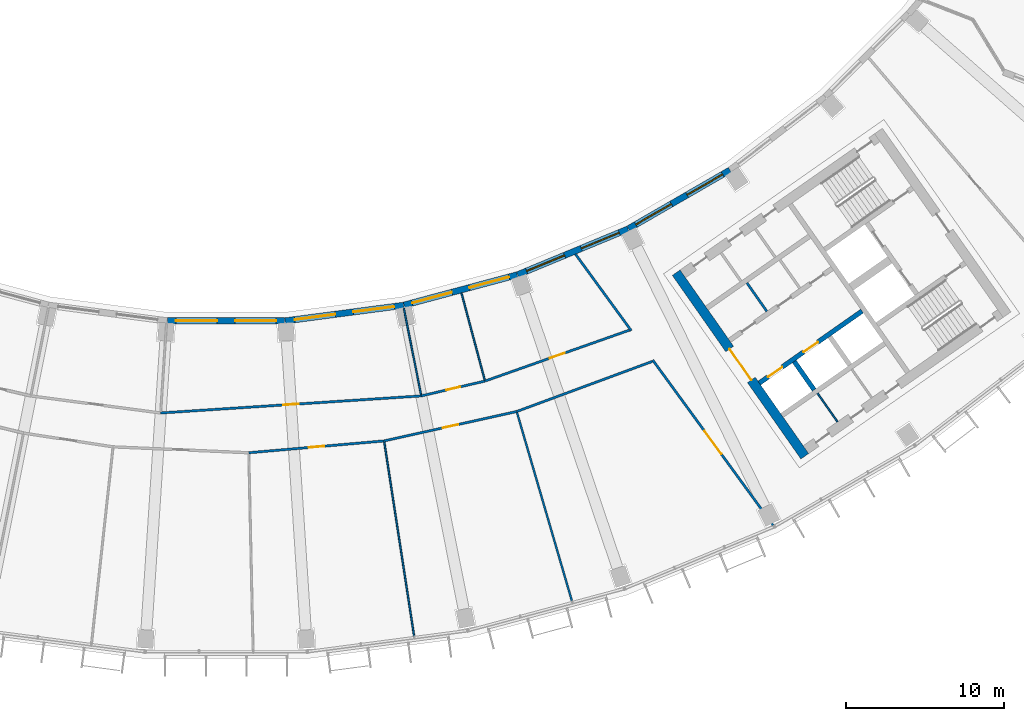
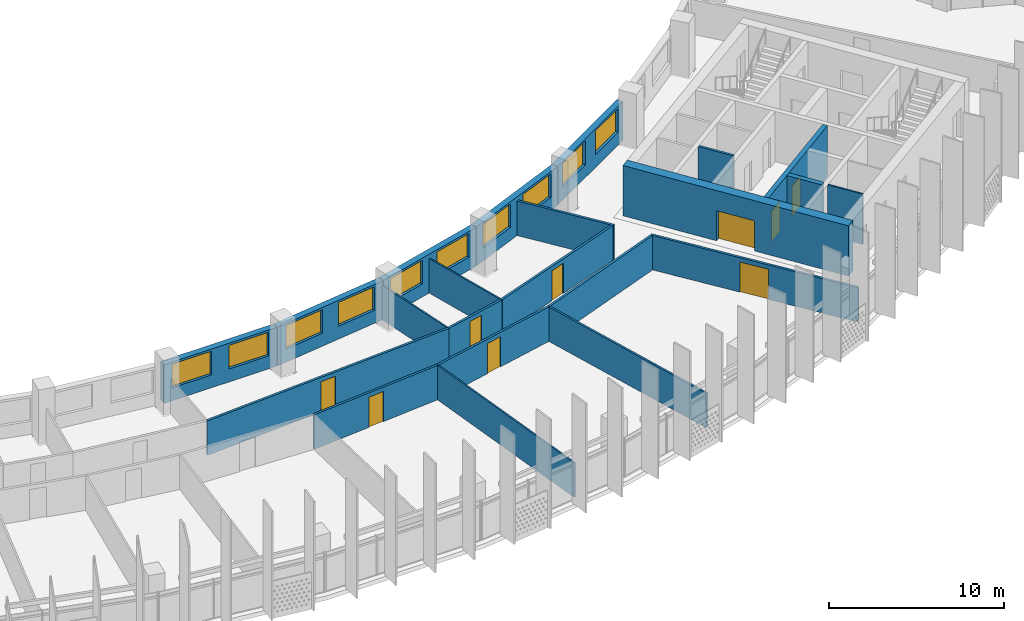
# One storey, part 5 of 30: 22 walls, 10 windows, 9 doors, 19 openings.
"""IFC4 building model written with IfcOpenShell, lengths in metres."""

from ifc_helpers import new_model, si_unit, direction, frame, frame_2d, origin, place, context, subcontext, project, spatial, rectangle, extrude, material, layer, layer_set, type_object, element, fill, save


model = new_model("IFC4")

# Units and contexts
model_context = context("Model", 3, precision=1e-05, world=origin(), true_north=direction((0.0, 1.0)))
body_context = subcontext(model_context, "Body", "Model", "MODEL_VIEW")
ifc_project = project(units=[si_unit("LENGTHUNIT", "METRE"), si_unit("AREAUNIT", "SQUARE_METRE"), si_unit("VOLUMEUNIT", "CUBIC_METRE"), si_unit("PLANEANGLEUNIT", "RADIAN"), si_unit("MASSUNIT", "GRAM", prefix="KILO")], contexts=[model_context])

# Site, building, storey
site_placement = place(None, origin())
site = spatial("IfcSite", under=ifc_project, at=site_placement, CompositionType="ELEMENT")
building_placement = place(site_placement, origin())
building = spatial("IfcBuilding", under=site, at=building_placement, Name="Qamariyya Broadcast Tower", CompositionType="ELEMENT")
storey_placement = place(building_placement, frame((0.0, 0.0, 203.699951171875)))
storey = spatial("IfcBuildingStorey", under=building, at=storey_placement, Name="L48", CompositionType="ELEMENT", Elevation=203.699951171875)

# Wall, opening, door
ifc_material_1 = material(Name="Concrete C60/75", Category="concrete")
ifc_layer_1 = layer(ifc_material_1, 0.60009765625)
ifc_layer_set_1 = layer_set([ifc_layer_1], Name="Core wall 600 mm Concrete C60/75")
wall_type_1 = type_object("IfcWallType", Name="Core wall 600 mm Concrete C60/75", PredefinedType="SHEAR", material=ifc_layer_set_1)
wall_1_placement = place(storey_placement, frame((36.66748046875, -66.005126953125, 0.0), z_axis=(0.0, 0.0, 1.0), x_axis=(-0.573568499524, 0.819157601658, 0.0)))
wall_1 = element("IfcWall", 1, at=wall_1_placement, inside=storey, type_object=wall_type_1, Name="k-E-L48-WA", PredefinedType="SHEAR", context=body_context, shape_type="SweptSolid", body=[
    extrude(rectangle(XDim=14.19970703125, YDim=0.60009765625, at=frame_2d((7.099853515625, 0.0))), origin(), (0.0, 0.0, 1.0), 3.5),
])
opening_1_placement = place(wall_1_placement, frame((5.89990234375, 0.0, 0.0)))
opening_1 = element("IfcOpeningElement", 2, at=opening_1_placement, cuts=wall_1, Name="Opening KD3-E1", PredefinedType="OPENING", context=body_context, shape_type="SweptSolid", body=[
    extrude(rectangle(XDim=2.39990234375, YDim=2.10009765625, at=frame_2d((1.199951171875, 1.050048828125))), frame((0.0, 0.31005859375, 0.0), z_axis=(0.0, -1.0, 0.0), x_axis=(1.0, 0.0, 0.0)), (0.0, 0.0, 1.0), 0.6201171875),
])
ifc_material_2 = material(Name="Steel fire-resisting door leaf", Category="steel")
door_type_1 = type_object("IfcDoorType", Name="Lift lobby door KD3", OperationType="DOUBLE_DOOR_SINGLE_SWING", PredefinedType="DOOR", material=ifc_material_2)
door_1_placement = place(opening_1_placement, origin())
door_1 = element("IfcDoor", 3, at=door_1_placement, inside=storey, type_object=door_type_1, Name="k-E-L48-WA-D1", OperationType="DOUBLE_DOOR_SINGLE_SWING", OverallHeight=2.10009765625, OverallWidth=2.39990234375, PredefinedType="DOOR", context=body_context, shape_type="SweptSolid", body=[
    extrude(rectangle(XDim=2.39990234375, YDim=2.10009765625, at=frame_2d((1.199951171875, 1.050048828125))), frame((0.0, 0.02490234375, 0.0), z_axis=(0.0, -1.0, 0.0), x_axis=(1.0, 0.0, 0.0)), (0.0, 0.0, 1.0), 0.050048828125),
])
fill(opening_1, door_1)

ifc_material_3 = material(Name="Gypsum board partition")
ifc_layer_2 = layer(ifc_material_3, 0.14990234375)
ifc_layer_set_2 = layer_set([ifc_layer_2], Name="Corridor partition 150 EI 60")
wall_type_2 = type_object("IfcWallType", Name="Corridor partition 150 EI 60", PredefinedType="PARTITIONING", material=ifc_layer_set_2)
wall_2_placement = place(storey_placement, frame((-4.146484375, -63.26416015625, 0.0), z_axis=(0.0, 0.0, 1.0), x_axis=(0.99785964818, 0.065392067829, 0.0)))
wall_2 = element("IfcWall", 4, at=wall_2_placement, inside=storey, type_object=wall_type_2, Name="Partition L48-018", PredefinedType="PARTITIONING", context=body_context, shape_type="SweptSolid", body=[
    extrude(rectangle(XDim=16.550537109375, YDim=0.14990234375, at=frame_2d((8.275390625, 0.0))), origin(), (0.0, 0.0, 1.0), 2.400146484375),
])
opening_2_placement = place(wall_2_placement, frame((7.775390625, 0.0, 0.0)))
opening_2 = element("IfcOpeningElement", 5, at=opening_2_placement, cuts=wall_2, Name="Opening L48-D12", PredefinedType="OPENING", context=body_context, shape_type="SweptSolid", body=[
    extrude(rectangle(XDim=1.0, YDim=2.10009765625, at=frame_2d((0.5, 1.050048828125))), frame((0.0, 0.0849609375, 0.0), z_axis=(0.0, -1.0, 0.0), x_axis=(1.0, 0.0, 0.0)), (0.0, 0.0, 1.0), 0.169921875),
])
ifc_material_4 = material(Name="Timber fire door leaf", Category="wood")
door_type_2 = type_object("IfcDoorType", Name="Fire door 1000 x 2100 FD60", OperationType="NOTDEFINED", PredefinedType="DOOR", material=ifc_material_4)
door_2_placement = place(opening_2_placement, origin())
door_2 = element("IfcDoor", 6, at=door_2_placement, inside=storey, type_object=door_type_2, Name="Door L48-D12", OperationType="SINGLE_SWING_RIGHT", OverallHeight=2.10009765625, OverallWidth=1.0, PredefinedType="DOOR", context=body_context, shape_type="SweptSolid", body=[
    extrude(rectangle(XDim=1.0, YDim=2.10009765625, at=frame_2d((0.5, 1.050048828125))), frame((0.0, 0.02490234375, 0.0), z_axis=(0.0, -1.0, 0.0), x_axis=(1.0, 0.0, 0.0)), (0.0, 0.0, 1.0), 0.050048828125),
])
fill(opening_2, door_2)

wall_3_placement = place(storey_placement, frame((10.011474609375, -65.033935546875, 0.0), z_axis=(0.0, 0.0, 1.0), x_axis=(-0.996193717496, -0.087166950281, 0.0)))
wall_3 = element("IfcWall", 7, at=wall_3_placement, inside=storey, type_object=wall_type_2, Name="Partition L48-020", PredefinedType="PARTITIONING", context=body_context, shape_type="SweptSolid", body=[
    extrude(rectangle(XDim=8.60693359375, YDim=0.14990234375, at=frame_2d((4.303466796875, 0.0))), origin(), (0.0, 0.0, 1.0), 2.400146484375),
])
opening_3_placement = place(wall_3_placement, frame((3.803466796875, 0.0, 0.0)))
opening_3 = element("IfcOpeningElement", 8, at=opening_3_placement, cuts=wall_3, Name="Opening L48-D06", PredefinedType="OPENING", context=body_context, shape_type="SweptSolid", body=[
    extrude(rectangle(XDim=1.0, YDim=2.10009765625, at=frame_2d((0.5, 1.050048828125))), frame((0.0, 0.0849609375, 0.0), z_axis=(0.0, -1.0, 0.0), x_axis=(1.0, 0.0, 0.0)), (0.0, 0.0, 1.0), 0.169921875),
])
door_3_placement = place(opening_3_placement, origin())
door_3 = element("IfcDoor", 9, at=door_3_placement, inside=storey, type_object=door_type_2, Name="Door L48-D06", OperationType="SINGLE_SWING_RIGHT", OverallHeight=2.10009765625, OverallWidth=1.0, PredefinedType="DOOR", context=body_context, shape_type="SweptSolid", body=[
    extrude(rectangle(XDim=1.0, YDim=2.10009765625, at=frame_2d((0.5, 1.050048828125))), frame((0.0, 0.02490234375, 0.0), z_axis=(0.0, -1.0, 0.0), x_axis=(1.0, 0.0, 0.0)), (0.0, 0.0, 1.0), 0.050048828125),
])
fill(opening_3, door_3)

wall_4_placement = place(storey_placement, frame((18.41455078125, -63.170654296875, 0.0), z_axis=(0.0, 0.0, 1.0), x_axis=(-0.976287067192, -0.216479935408, 0.0)))
wall_4 = element("IfcWall", 10, at=wall_4_placement, inside=storey, type_object=wall_type_2, Name="Partition L48-022", PredefinedType="PARTITIONING", context=body_context, shape_type="SweptSolid", body=[
    extrude(rectangle(XDim=8.607177734375, YDim=0.14990234375, at=frame_2d((4.3037109375, 0.0))), origin(), (0.0, 0.0, 1.0), 2.400146484375),
])
opening_4_placement = place(wall_4_placement, frame((3.803466796875, 0.0, 0.0)))
opening_4 = element("IfcOpeningElement", 11, at=opening_4_placement, cuts=wall_4, Name="Opening L48-D07", PredefinedType="OPENING", context=body_context, shape_type="SweptSolid", body=[
    extrude(rectangle(XDim=1.0, YDim=2.10009765625, at=frame_2d((0.5, 1.050048828125))), frame((0.0, 0.0849609375, 0.0), z_axis=(0.0, -1.0, 0.0), x_axis=(1.0, 0.0, 0.0)), (0.0, 0.0, 1.0), 0.169921875),
])
door_4_placement = place(opening_4_placement, origin())
door_4 = element("IfcDoor", 12, at=door_4_placement, inside=storey, type_object=door_type_2, Name="Door L48-D07", OperationType="SINGLE_SWING_RIGHT", OverallHeight=2.10009765625, OverallWidth=1.0, PredefinedType="DOOR", context=body_context, shape_type="SweptSolid", body=[
    extrude(rectangle(XDim=1.0, YDim=2.10009765625, at=frame_2d((0.5, 1.050048828125))), frame((0.0, 0.02490234375, 0.0), z_axis=(0.0, -1.0, 0.0), x_axis=(1.0, 0.0, 0.0)), (0.0, 0.0, 1.0), 0.050048828125),
])
fill(opening_4, door_4)

wall_5_placement = place(storey_placement, frame((12.36865234375, -62.181884765625, 0.0), z_axis=(0.0, 0.0, 1.0), x_axis=(0.973875922187, 0.227080796599, 0.0)))
wall_5 = element("IfcWall", 13, at=wall_5_placement, inside=storey, type_object=wall_type_2, Name="Partition L48-025", PredefinedType="PARTITIONING", context=body_context, shape_type="SweptSolid", body=[
    extrude(rectangle(XDim=4.14892578125, YDim=0.14990234375, at=frame_2d((2.074462890625, 0.0))), origin(), (0.0, 0.0, 1.0), 2.400146484375),
])
opening_5_placement = place(wall_5_placement, frame((1.62451171875, 0.0, 0.0)))
opening_5 = element("IfcOpeningElement", 14, at=opening_5_placement, cuts=wall_5, Name="Opening L48-D13", PredefinedType="OPENING", context=body_context, shape_type="SweptSolid", body=[
    extrude(rectangle(XDim=0.89990234375, YDim=2.10009765625, at=frame_2d((0.449951171875, 1.050048828125))), frame((0.0, 0.0849609375, 0.0), z_axis=(0.0, -1.0, 0.0), x_axis=(1.0, 0.0, 0.0)), (0.0, 0.0, 1.0), 0.169921875),
])
door_type_3 = type_object("IfcDoorType", Name="Fire door 900 x 2100 FD60", OperationType="NOTDEFINED", PredefinedType="DOOR", material=ifc_material_4)
door_5_placement = place(opening_5_placement, origin())
door_5 = element("IfcDoor", 15, at=door_5_placement, inside=storey, type_object=door_type_3, Name="Door L48-D13", OperationType="SINGLE_SWING_RIGHT", OverallHeight=2.10009765625, OverallWidth=0.89990234375, PredefinedType="DOOR", context=body_context, shape_type="SweptSolid", body=[
    extrude(rectangle(XDim=0.89990234375, YDim=2.10009765625, at=frame_2d((0.449951171875, 1.050048828125))), frame((0.0, 0.02490234375, 0.0), z_axis=(0.0, -1.0, 0.0), x_axis=(1.0, 0.0, 0.0)), (0.0, 0.0, 1.0), 0.050048828125),
])
fill(opening_5, door_5)

wall_6_placement = place(storey_placement, frame((16.4091796875, -61.23974609375, 0.0), z_axis=(0.0, 0.0, 1.0), x_axis=(0.943087830275, 0.332543748081, 0.0)))
wall_6 = element("IfcWall", 16, at=wall_6_placement, inside=storey, type_object=wall_type_2, Name="Partition L48-027", PredefinedType="PARTITIONING", context=body_context, shape_type="SweptSolid", body=[
    extrude(rectangle(XDim=9.7041015625, YDim=0.14990234375, at=frame_2d((4.85205078125, 0.0))), origin(), (0.0, 0.0, 1.0), 2.400146484375),
])
opening_6_placement = place(wall_6_placement, frame((4.35205078125, 0.0, 0.0)))
opening_6 = element("IfcOpeningElement", 17, at=opening_6_placement, cuts=wall_6, Name="Opening L48-D14", PredefinedType="OPENING", context=body_context, shape_type="SweptSolid", body=[
    extrude(rectangle(XDim=1.0, YDim=2.10009765625, at=frame_2d((0.5, 1.050048828125))), frame((0.0, 0.0849609375, 0.0), z_axis=(0.0, -1.0, 0.0), x_axis=(1.0, 0.0, 0.0)), (0.0, 0.0, 1.0), 0.169921875),
])
door_6_placement = place(opening_6_placement, origin())
door_6 = element("IfcDoor", 18, at=door_6_placement, inside=storey, type_object=door_type_2, Name="Door L48-D14", OperationType="SINGLE_SWING_RIGHT", OverallHeight=2.10009765625, OverallWidth=1.0, PredefinedType="DOOR", context=body_context, shape_type="SweptSolid", body=[
    extrude(rectangle(XDim=1.0, YDim=2.10009765625, at=frame_2d((0.5, 1.050048828125))), frame((0.0, 0.02490234375, 0.0), z_axis=(0.0, -1.0, 0.0), x_axis=(1.0, 0.0, 0.0)), (0.0, 0.0, 1.0), 0.050048828125),
])
fill(opening_6, door_6)

# Walls
wall_7_placement = place(storey_placement, frame((18.41455078125, -63.170654296875, 0.0), z_axis=(0.0, 0.0, 1.0), x_axis=(0.938039704857, 0.34652779414, 0.0)))
element("IfcWall", 19, at=wall_7_placement, inside=storey, type_object=wall_type_2, Name="Partition L48-028", PredefinedType="PARTITIONING", context=body_context, shape_type="SweptSolid", body=[
    extrude(rectangle(XDim=9.160400390625, YDim=0.14990234375, at=frame_2d((4.580078125, 0.0))), origin(), (0.0, 0.0, 1.0), 2.400146484375),
])
wall_8_placement = place(storey_placement, frame((22.135498046875, -53.1943359375, 0.0), z_axis=(0.0, 0.0, 1.0), x_axis=(0.589297062476, -0.807916438846, 0.0)))
element("IfcWall", 20, at=wall_8_placement, inside=storey, type_object=wall_type_2, Name="Partition L48-029", PredefinedType="PARTITIONING", context=body_context, shape_type="SweptSolid", body=[
    extrude(rectangle(XDim=6.008056640625, YDim=0.14990234375, at=frame_2d((3.00390625, 0.0))), origin(), (0.0, 0.0, 1.0), 2.400146484375),
])

# Wall, opening, door
wall_9_placement = place(storey_placement, frame((34.668212890625, -70.37744140625, 0.0), z_axis=(0.0, 0.0, 1.0), x_axis=(-0.589273648147, 0.807933516819, 0.0)))
wall_9 = element("IfcWall", 21, at=wall_9_placement, inside=storey, type_object=wall_type_2, Name="Partition L48-031", PredefinedType="PARTITIONING", context=body_context, shape_type="SweptSolid", body=[
    extrude(rectangle(XDim=12.956298828125, YDim=0.14990234375, at=frame_2d((6.47802734375, 0.0))), origin(), (0.0, 0.0, 1.0), 2.400146484375),
])
opening_7_placement = place(wall_9_placement, frame((5.578125, 0.0, 0.0)))
opening_7 = element("IfcOpeningElement", 22, at=opening_7_placement, cuts=wall_9, Name="Opening L48-D08", PredefinedType="OPENING", context=body_context, shape_type="SweptSolid", body=[
    extrude(rectangle(XDim=1.800048828125, YDim=2.10009765625, at=frame_2d((0.89990234375, 1.050048828125))), frame((0.0, 0.0849609375, 0.0), z_axis=(0.0, -1.0, 0.0), x_axis=(1.0, 0.0, 0.0)), (0.0, 0.0, 1.0), 0.169921875),
])
door_type_4 = type_object("IfcDoorType", Name="Double fire door 1800 x 2100 FD60", OperationType="NOTDEFINED", PredefinedType="DOOR", material=ifc_material_4)
door_7_placement = place(opening_7_placement, origin())
door_7 = element("IfcDoor", 23, at=door_7_placement, inside=storey, type_object=door_type_4, Name="Door L48-D08", OperationType="DOUBLE_DOOR_SINGLE_SWING", OverallHeight=2.10009765625, OverallWidth=1.800048828125, PredefinedType="DOOR", context=body_context, shape_type="SweptSolid", body=[
    extrude(rectangle(XDim=1.800048828125, YDim=2.10009765625, at=frame_2d((0.89990234375, 1.050048828125))), frame((0.0, 0.02490234375, 0.0), z_axis=(0.0, -1.0, 0.0), x_axis=(1.0, 0.0, 0.0)), (0.0, 0.0, 1.0), 0.050048828125),
])
fill(opening_7, door_7)

# Wall
ifc_material_5 = material(Name="Gypsum board partition on steel studs", Category="steel")
ifc_layer_3 = layer(ifc_material_5, 0.14990234375)
ifc_layer_set_3 = layer_set([ifc_layer_3], Name="Gypsum board partition 150 mm")
wall_type_3 = type_object("IfcWallType", Name="Gypsum board partition 150 mm", PredefinedType="PARTITIONING", material=ifc_layer_set_3)
wall_10_placement = place(storey_placement, frame((34.26611328125, -56.822021484375, 0.0), z_axis=(0.0, 0.0, 1.0), x_axis=(-0.573581496053, 0.819148501424, 0.0)))
element("IfcWall", 24, at=wall_10_placement, inside=storey, type_object=wall_type_3, Name="k-E-L48-NC300", PredefinedType="PARTITIONING", context=body_context, shape_type="SweptSolid", body=[
    extrude(rectangle(XDim=2.2001953125, YDim=0.14990234375, at=frame_2d((1.10009765625, 0.0))), origin(), (0.0, 0.0, 1.0), 3.5),
])

# Wall, openings, doors
ifc_layer_4 = layer(ifc_material_1, 0.300048828125)
ifc_layer_set_4 = layer_set([ifc_layer_4], Name="Lift shaft wall 300 mm Concrete C60/75")
wall_type_4 = type_object("IfcWallType", Name="Lift shaft wall 300 mm Concrete C60/75", PredefinedType="SOLIDWALL", material=ifc_layer_set_4)
wall_11_placement = place(storey_placement, frame((33.787353515625, -61.368896484375, 0.0), z_axis=(0.0, 0.0, 1.0), x_axis=(0.819152564888, 0.573575692858, 0.0)))
wall_11 = element("IfcWall", 25, at=wall_11_placement, inside=storey, type_object=wall_type_4, Name="k-E-L48-SF0", PredefinedType="SOLIDWALL", context=body_context, shape_type="SweptSolid", body=[
    extrude(rectangle(XDim=7.9501953125, YDim=0.300048828125, at=frame_2d((3.97509765625, 0.0))), origin(), (0.0, 0.0, 1.0), 3.5),
])
opening_8_placement = place(wall_11_placement, frame((0.675048828125, 0.0, 0.0)))
opening_8 = element("IfcOpeningElement", 26, at=opening_8_placement, cuts=wall_11, Name="Opening LD", PredefinedType="OPENING", context=body_context, shape_type="SweptSolid", body=[
    extrude(rectangle(XDim=1.10009765625, YDim=2.10009765625, at=frame_2d((0.550048828125, 1.050048828125))), frame((0.0, 0.159912109375, 0.0), z_axis=(0.0, -1.0, 0.0), x_axis=(1.0, 0.0, 0.0)), (0.0, 0.0, 1.0), 0.320068359375),
])
opening_9_placement = place(wall_11_placement, frame((3.425048828125, 0.0, 0.0)))
opening_9 = element("IfcOpeningElement", 27, at=opening_9_placement, cuts=wall_11, Name="Opening LD", PredefinedType="OPENING", context=body_context, shape_type="SweptSolid", body=[
    extrude(rectangle(XDim=1.10009765625, YDim=2.10009765625, at=frame_2d((0.550048828125, 1.050048828125))), frame((0.0, 0.159912109375, 0.0), z_axis=(0.0, -1.0, 0.0), x_axis=(1.0, 0.0, 0.0)), (0.0, 0.0, 1.0), 0.320068359375),
])
door_type_5 = type_object("IfcDoorType", Name="Lift landing door LD", OperationType="DOUBLE_DOOR_SLIDING", PredefinedType="DOOR", material=ifc_material_2)
door_8_placement = place(opening_8_placement, origin())
door_8 = element("IfcDoor", 28, at=door_8_placement, inside=storey, type_object=door_type_5, Name="k-E-L48-SF0-D5", OperationType="DOUBLE_DOOR_SLIDING", OverallHeight=2.10009765625, OverallWidth=1.10009765625, PredefinedType="DOOR", context=body_context, shape_type="SweptSolid", body=[
    extrude(rectangle(XDim=1.10009765625, YDim=2.10009765625, at=frame_2d((0.550048828125, 1.050048828125))), frame((0.0, 0.02490234375, 0.0), z_axis=(0.0, -1.0, 0.0), x_axis=(1.0, 0.0, 0.0)), (0.0, 0.0, 1.0), 0.050048828125),
])
fill(opening_8, door_8)
door_9_placement = place(opening_9_placement, origin())
door_9 = element("IfcDoor", 29, at=door_9_placement, inside=storey, type_object=door_type_5, Name="k-E-L48-SF0-D6", OperationType="DOUBLE_DOOR_SLIDING", OverallHeight=2.10009765625, OverallWidth=1.10009765625, PredefinedType="DOOR", context=body_context, shape_type="SweptSolid", body=[
    extrude(rectangle(XDim=1.10009765625, YDim=2.10009765625, at=frame_2d((0.550048828125, 1.050048828125))), frame((0.0, 0.02490234375, 0.0), z_axis=(0.0, -1.0, 0.0), x_axis=(1.0, 0.0, 0.0)), (0.0, 0.0, 1.0), 0.050048828125),
])
fill(opening_9, door_9)

# Walls
wall_12_placement = place(storey_placement, frame((36.003173828125, -60.000244140625, 0.0), z_axis=(0.0, 0.0, 1.0), x_axis=(0.573581496053, -0.819148501424, 0.0)))
element("IfcWall", 30, at=wall_12_placement, inside=storey, type_object=wall_type_4, Name="k-E-L48-SD0", PredefinedType="SOLIDWALL", context=body_context, shape_type="SweptSolid", body=[
    extrude(rectangle(XDim=2.2001953125, YDim=0.300048828125, at=frame_2d((1.10009765625, 0.0))), origin(), (0.0, 0.0, 1.0), 3.5),
])
ifc_material_6 = material(Name="Operable acoustic wall panels")
ifc_layer_5 = layer(ifc_material_6, 0.125)
ifc_layer_set_5 = layer_set([ifc_layer_5], Name="Operable acoustic partition 125")
wall_type_5 = type_object("IfcWallType", Name="Operable acoustic partition 125", PredefinedType="MOVABLE", material=ifc_layer_set_5)
wall_13_placement = place(storey_placement, frame((21.912841796875, -75.171630859375, 0.0), z_axis=(0.0, 0.0, 1.0), x_axis=(-0.27985286912, 0.96004290094, 0.0)))
element("IfcWall", 31, at=wall_13_placement, inside=storey, type_object=wall_type_5, Name="Operable partition L48-030", PredefinedType="MOVABLE", context=body_context, shape_type="SweptSolid", body=[
    extrude(rectangle(XDim=12.425537109375, YDim=0.125, at=frame_2d((6.212890625, 0.0))), origin(), (0.0, 0.0, 1.0), 2.400146484375),
])
ifc_layer_6 = layer(ifc_material_3, 0.10009765625)
ifc_layer_set_6 = layer_set([ifc_layer_6], Name="Partition 100")
wall_type_6 = type_object("IfcWallType", Name="Partition 100", PredefinedType="PARTITIONING", material=ifc_layer_set_6)
wall_14_placement = place(storey_placement, frame((11.266357421875, -56.640380859375, 0.0), z_axis=(0.0, 0.0, 1.0), x_axis=(0.195097004053, -0.98078395124, 0.0)))
element("IfcWall", 32, at=wall_14_placement, inside=storey, type_object=wall_type_6, Name="Partition L48-023", PredefinedType="PARTITIONING", context=body_context, shape_type="SweptSolid", body=[
    extrude(rectangle(XDim=5.574951171875, YDim=0.10009765625, at=frame_2d((2.78759765625, 0.0))), origin(), (0.0, 0.0, 1.0), 2.400146484375),
])
wall_15_placement = place(storey_placement, frame((11.91357421875, -77.388671875, 0.0), z_axis=(0.0, 0.0, 1.0), x_axis=(-0.152160538539, 0.988355791459, 0.0)))
element("IfcWall", 33, at=wall_15_placement, inside=storey, type_object=wall_type_6, Name="Partition L48-024", PredefinedType="PARTITIONING", context=body_context, shape_type="SweptSolid", body=[
    extrude(rectangle(XDim=12.42529296875, YDim=0.10009765625, at=frame_2d((6.212646484375, 0.0))), origin(), (0.0, 0.0, 1.0), 2.400146484375),
])
wall_16_placement = place(storey_placement, frame((14.9150390625, -55.66357421875, 0.0), z_axis=(0.0, 0.0, 1.0), x_axis=(0.258803907589, -0.965929882247, 0.0)))
element("IfcWall", 34, at=wall_16_placement, inside=storey, type_object=wall_type_6, Name="Partition L48-026", PredefinedType="PARTITIONING", context=body_context, shape_type="SweptSolid", body=[
    extrude(rectangle(XDim=5.69775390625, YDim=0.10009765625, at=frame_2d((2.848876953125, 0.0))), origin(), (0.0, 0.0, 1.0), 2.400146484375),
])
ifc_material_7 = material(Name="Fire-rated gypsum shaft liner on steel studs", Category="steel")
ifc_layer_7 = layer(ifc_material_7, 0.10009765625)
ifc_layer_set_7 = layer_set([ifc_layer_7], Name="Riser wall 100 mm")
wall_type_7 = type_object("IfcWallType", Name="Riser wall 100 mm", PredefinedType="PLUMBINGWALL", material=ifc_layer_set_7)
wall_17_placement = place(storey_placement, frame((37.47802734375, -62.01953125, 0.0), z_axis=(0.0, 0.0, 1.0), x_axis=(0.573581496053, -0.819148501424, 0.0)))
element("IfcWall", 35, at=wall_17_placement, inside=storey, type_object=wall_type_7, Name="k-E-L48-SP265", PredefinedType="PLUMBINGWALL", context=body_context, shape_type="SweptSolid", body=[
    extrude(rectangle(XDim=2.2001953125, YDim=0.10009765625, at=frame_2d((1.10009765625, 0.0))), origin(), (0.0, 0.0, 1.0), 3.5),
])

# Wall, openings, windows
ifc_material_8 = material(Name="Terracotta", Category="masonry")
ifc_layer_8 = layer(ifc_material_8, 0.39990234375)
ifc_layer_set_8 = layer_set([ifc_layer_8], Name="Terracotta clad wall 400")
wall_type_8 = type_object("IfcWallType", Name="Terracotta clad wall 400", PredefinedType="SOLIDWALL", material=ifc_layer_set_8)
wall_18_placement = place(storey_placement, frame((18.449951171875, -54.50927734375, 0.0), z_axis=(0.0, 0.0, 1.0), x_axis=(-0.965924866111, -0.25882262851, 0.0)))
wall_18 = element("IfcWall", 36, at=wall_18_placement, inside=storey, type_object=wall_type_8, Name="e-wl-L48-in100", PredefinedType="SOLIDWALL", context=body_context, shape_type="SweptSolid", body=[
    extrude(rectangle(XDim=7.426513671875, YDim=0.39990234375, at=frame_2d((3.71337890625, 0.0))), origin(), (0.0, 0.0, 1.0), 2.699951171875),
])
opening_10_placement = place(wall_18_placement, frame((4.28857421875, 0.0, 0.89990234375)))
opening_10 = element("IfcOpeningElement", 37, at=opening_10_placement, cuts=wall_18, Name="Opening W1", PredefinedType="OPENING", context=body_context, shape_type="SweptSolid", body=[
    extrude(rectangle(XDim=2.60009765625, YDim=1.64990234375, at=frame_2d((1.300048828125, 0.824951171875))), frame((0.0, 0.2099609375, 0.0), z_axis=(0.0, -1.0, 0.0), x_axis=(1.0, 0.0, 0.0)), (0.0, 0.0, 1.0), 0.419921875),
])
opening_11_placement = place(wall_18_placement, frame((0.537841796875, 0.0, 0.89990234375)))
opening_11 = element("IfcOpeningElement", 38, at=opening_11_placement, cuts=wall_18, Name="Opening W1", PredefinedType="OPENING", context=body_context, shape_type="SweptSolid", body=[
    extrude(rectangle(XDim=2.60009765625, YDim=1.64990234375, at=frame_2d((1.300048828125, 0.824951171875))), frame((0.0, 0.2099609375, 0.0), z_axis=(0.0, -1.0, 0.0), x_axis=(1.0, 0.0, 0.0)), (0.0, 0.0, 1.0), 0.419921875),
])
ifc_material_9 = material(Name="Clear low-e double glazed unit in aluminium frame", Category="aluminium")
window_type = type_object("IfcWindowType", Name="Ribbon window 2600 x 1650", PartitioningType="SINGLE_PANEL", PredefinedType="WINDOW", material=ifc_material_9)
window_1_placement = place(opening_10_placement, origin())
window_1 = element("IfcWindow", 39, at=window_1_placement, inside=storey, type_object=window_type, Name="e-w-L48-in10-0", OverallHeight=1.64990234375, OverallWidth=2.60009765625, PartitioningType="SINGLE_PANEL", PredefinedType="WINDOW", context=body_context, shape_type="SweptSolid", body=[
    extrude(rectangle(XDim=2.60009765625, YDim=1.64990234375, at=frame_2d((1.300048828125, 0.824951171875))), frame((0.0, 0.030029296875, 0.0), z_axis=(0.0, -1.0, 0.0), x_axis=(1.0, 0.0, 0.0)), (0.0, 0.0, 1.0), 0.06005859375),
])
fill(opening_10, window_1)
window_2_placement = place(opening_11_placement, origin())
window_2 = element("IfcWindow", 40, at=window_2_placement, inside=storey, type_object=window_type, Name="e-w-L48-in10-1", OverallHeight=1.64990234375, OverallWidth=2.60009765625, PartitioningType="SINGLE_PANEL", PredefinedType="WINDOW", context=body_context, shape_type="SweptSolid", body=[
    extrude(rectangle(XDim=2.60009765625, YDim=1.64990234375, at=frame_2d((1.300048828125, 0.824951171875))), frame((0.0, 0.030029296875, 0.0), z_axis=(0.0, -1.0, 0.0), x_axis=(1.0, 0.0, 0.0)), (0.0, 0.0, 1.0), 0.06005859375),
])
fill(opening_11, window_2)

wall_19_placement = place(storey_placement, frame((25.47705078125, -51.60595703125, 0.0), z_axis=(0.0, 0.0, 1.0), x_axis=(-0.923884115122, -0.382672368777, 0.0)))
wall_19 = element("IfcWall", 41, at=wall_19_placement, inside=storey, type_object=wall_type_8, Name="e-wl-L48-in110", PredefinedType="SOLIDWALL", context=body_context, shape_type="SweptSolid", body=[
    extrude(rectangle(XDim=7.578125, YDim=0.39990234375, at=frame_2d((3.7890625, 0.0))), origin(), (0.0, 0.0, 1.0), 2.699951171875),
])
opening_12_placement = place(wall_19_placement, frame((4.364501953125, 0.0, 0.89990234375)))
opening_12 = element("IfcOpeningElement", 42, at=opening_12_placement, cuts=wall_19, Name="Opening W1", PredefinedType="OPENING", context=body_context, shape_type="SweptSolid", body=[
    extrude(rectangle(XDim=2.60009765625, YDim=1.64990234375, at=frame_2d((1.300048828125, 0.824951171875))), frame((0.0, 0.2099609375, 0.0), z_axis=(0.0, -1.0, 0.0), x_axis=(1.0, 0.0, 0.0)), (0.0, 0.0, 1.0), 0.419921875),
])
opening_13_placement = place(wall_19_placement, frame((0.613525390625, 0.0, 0.89990234375)))
opening_13 = element("IfcOpeningElement", 43, at=opening_13_placement, cuts=wall_19, Name="Opening W1", PredefinedType="OPENING", context=body_context, shape_type="SweptSolid", body=[
    extrude(rectangle(XDim=2.60009765625, YDim=1.64990234375, at=frame_2d((1.300048828125, 0.824951171875))), frame((0.0, 0.2099609375, 0.0), z_axis=(0.0, -1.0, 0.0), x_axis=(1.0, 0.0, 0.0)), (0.0, 0.0, 1.0), 0.419921875),
])
window_3_placement = place(opening_12_placement, origin())
window_3 = element("IfcWindow", 44, at=window_3_placement, inside=storey, type_object=window_type, Name="e-w-L48-in11-0", OverallHeight=1.64990234375, OverallWidth=2.60009765625, PartitioningType="SINGLE_PANEL", PredefinedType="WINDOW", context=body_context, shape_type="SweptSolid", body=[
    extrude(rectangle(XDim=2.60009765625, YDim=1.64990234375, at=frame_2d((1.300048828125, 0.824951171875))), frame((0.0, 0.030029296875, 0.0), z_axis=(0.0, -1.0, 0.0), x_axis=(1.0, 0.0, 0.0)), (0.0, 0.0, 1.0), 0.06005859375),
])
fill(opening_12, window_3)
window_4_placement = place(opening_13_placement, origin())
window_4 = element("IfcWindow", 45, at=window_4_placement, inside=storey, type_object=window_type, Name="e-w-L48-in11-1", OverallHeight=1.64990234375, OverallWidth=2.60009765625, PartitioningType="SINGLE_PANEL", PredefinedType="WINDOW", context=body_context, shape_type="SweptSolid", body=[
    extrude(rectangle(XDim=2.60009765625, YDim=1.64990234375, at=frame_2d((1.300048828125, 0.824951171875))), frame((0.0, 0.030029296875, 0.0), z_axis=(0.0, -1.0, 0.0), x_axis=(1.0, 0.0, 0.0)), (0.0, 0.0, 1.0), 0.06005859375),
])
fill(opening_13, window_4)

wall_20_placement = place(storey_placement, frame((31.929443359375, -47.876708984375, 0.0), z_axis=(0.0, 0.0, 1.0), x_axis=(-0.866021353871, -0.500007014591, 0.0)))
wall_20 = element("IfcWall", 46, at=wall_20_placement, inside=storey, type_object=wall_type_8, Name="e-wl-L48-in120", PredefinedType="SOLIDWALL", context=body_context, shape_type="SweptSolid", body=[
    extrude(rectangle(XDim=7.4267578125, YDim=0.39990234375, at=frame_2d((3.71337890625, 0.0))), origin(), (0.0, 0.0, 1.0), 2.699951171875),
])
opening_14_placement = place(wall_20_placement, frame((4.28857421875, 0.0, 0.89990234375)))
opening_14 = element("IfcOpeningElement", 47, at=opening_14_placement, cuts=wall_20, Name="Opening W1", PredefinedType="OPENING", context=body_context, shape_type="SweptSolid", body=[
    extrude(rectangle(XDim=2.60009765625, YDim=1.64990234375, at=frame_2d((1.300048828125, 0.824951171875))), frame((0.0, 0.2099609375, 0.0), z_axis=(0.0, -1.0, 0.0), x_axis=(1.0, 0.0, 0.0)), (0.0, 0.0, 1.0), 0.419921875),
])
opening_15_placement = place(wall_20_placement, frame((0.537841796875, 0.0, 0.89990234375)))
opening_15 = element("IfcOpeningElement", 48, at=opening_15_placement, cuts=wall_20, Name="Opening W1", PredefinedType="OPENING", context=body_context, shape_type="SweptSolid", body=[
    extrude(rectangle(XDim=2.60009765625, YDim=1.64990234375, at=frame_2d((1.300048828125, 0.824951171875))), frame((0.0, 0.2099609375, 0.0), z_axis=(0.0, -1.0, 0.0), x_axis=(1.0, 0.0, 0.0)), (0.0, 0.0, 1.0), 0.419921875),
])
window_5_placement = place(opening_14_placement, origin())
window_5 = element("IfcWindow", 49, at=window_5_placement, inside=storey, type_object=window_type, Name="e-w-L48-in12-0", OverallHeight=1.64990234375, OverallWidth=2.60009765625, PartitioningType="SINGLE_PANEL", PredefinedType="WINDOW", context=body_context, shape_type="SweptSolid", body=[
    extrude(rectangle(XDim=2.60009765625, YDim=1.64990234375, at=frame_2d((1.300048828125, 0.824951171875))), frame((0.0, 0.030029296875, 0.0), z_axis=(0.0, -1.0, 0.0), x_axis=(1.0, 0.0, 0.0)), (0.0, 0.0, 1.0), 0.06005859375),
])
fill(opening_14, window_5)
window_6_placement = place(opening_15_placement, origin())
window_6 = element("IfcWindow", 50, at=window_6_placement, inside=storey, type_object=window_type, Name="e-w-L48-in12-1", OverallHeight=1.64990234375, OverallWidth=2.60009765625, PartitioningType="SINGLE_PANEL", PredefinedType="WINDOW", context=body_context, shape_type="SweptSolid", body=[
    extrude(rectangle(XDim=2.60009765625, YDim=1.64990234375, at=frame_2d((1.300048828125, 0.824951171875))), frame((0.0, 0.030029296875, 0.0), z_axis=(0.0, -1.0, 0.0), x_axis=(1.0, 0.0, 0.0)), (0.0, 0.0, 1.0), 0.06005859375),
])
fill(opening_15, window_6)

wall_21_placement = place(storey_placement, frame((3.713134765625, -57.42724609375, 0.0), z_axis=(0.0, 0.0, 1.0), x_axis=(-1.0, 0.0, 0.0)))
wall_21 = element("IfcWall", 51, at=wall_21_placement, inside=storey, type_object=wall_type_8, Name="e-wl-L48-in80", PredefinedType="SOLIDWALL", context=body_context, shape_type="SweptSolid", body=[
    extrude(rectangle(XDim=7.42626953125, YDim=0.39990234375, at=frame_2d((3.713134765625, 0.0))), origin(), (0.0, 0.0, 1.0), 2.699951171875),
])
opening_16_placement = place(wall_21_placement, frame((4.28857421875, 0.0, 0.89990234375)))
opening_16 = element("IfcOpeningElement", 52, at=opening_16_placement, cuts=wall_21, Name="Opening W1", PredefinedType="OPENING", context=body_context, shape_type="SweptSolid", body=[
    extrude(rectangle(XDim=2.60009765625, YDim=1.64990234375, at=frame_2d((1.300048828125, 0.824951171875))), frame((0.0, 0.2099609375, 0.0), z_axis=(0.0, -1.0, 0.0), x_axis=(1.0, 0.0, 0.0)), (0.0, 0.0, 1.0), 0.419921875),
])
opening_17_placement = place(wall_21_placement, frame((0.537841796875, 0.0, 0.89990234375)))
opening_17 = element("IfcOpeningElement", 53, at=opening_17_placement, cuts=wall_21, Name="Opening W1", PredefinedType="OPENING", context=body_context, shape_type="SweptSolid", body=[
    extrude(rectangle(XDim=2.60009765625, YDim=1.64990234375, at=frame_2d((1.300048828125, 0.824951171875))), frame((0.0, 0.2099609375, 0.0), z_axis=(0.0, -1.0, 0.0), x_axis=(1.0, 0.0, 0.0)), (0.0, 0.0, 1.0), 0.419921875),
])
window_7_placement = place(opening_16_placement, origin())
window_7 = element("IfcWindow", 54, at=window_7_placement, inside=storey, type_object=window_type, Name="e-w-L48-in08-0", OverallHeight=1.64990234375, OverallWidth=2.60009765625, PartitioningType="SINGLE_PANEL", PredefinedType="WINDOW", context=body_context, shape_type="SweptSolid", body=[
    extrude(rectangle(XDim=2.60009765625, YDim=1.64990234375, at=frame_2d((1.300048828125, 0.824951171875))), frame((0.0, 0.030029296875, 0.0), z_axis=(0.0, -1.0, 0.0), x_axis=(1.0, 0.0, 0.0)), (0.0, 0.0, 1.0), 0.06005859375),
])
fill(opening_16, window_7)
window_8_placement = place(opening_17_placement, origin())
window_8 = element("IfcWindow", 55, at=window_8_placement, inside=storey, type_object=window_type, Name="e-w-L48-in08-1", OverallHeight=1.64990234375, OverallWidth=2.60009765625, PartitioningType="SINGLE_PANEL", PredefinedType="WINDOW", context=body_context, shape_type="SweptSolid", body=[
    extrude(rectangle(XDim=2.60009765625, YDim=1.64990234375, at=frame_2d((1.300048828125, 0.824951171875))), frame((0.0, 0.030029296875, 0.0), z_axis=(0.0, -1.0, 0.0), x_axis=(1.0, 0.0, 0.0)), (0.0, 0.0, 1.0), 0.06005859375),
])
fill(opening_17, window_8)

wall_22_placement = place(storey_placement, frame((11.252197265625, -56.44140625, 0.0), z_axis=(0.0, 0.0, 1.0), x_axis=(-0.991446288508, -0.130515351599, 0.0)))
wall_22 = element("IfcWall", 56, at=wall_22_placement, inside=storey, type_object=wall_type_8, Name="e-wl-L48-in90", PredefinedType="SOLIDWALL", context=body_context, shape_type="SweptSolid", body=[
    extrude(rectangle(XDim=7.57763671875, YDim=0.39990234375, at=frame_2d((3.788818359375, 0.0))), origin(), (0.0, 0.0, 1.0), 2.699951171875),
])
opening_18_placement = place(wall_22_placement, frame((4.364501953125, 0.0, 0.89990234375)))
opening_18 = element("IfcOpeningElement", 57, at=opening_18_placement, cuts=wall_22, Name="Opening W1", PredefinedType="OPENING", context=body_context, shape_type="SweptSolid", body=[
    extrude(rectangle(XDim=2.60009765625, YDim=1.64990234375, at=frame_2d((1.300048828125, 0.824951171875))), frame((0.0, 0.2099609375, 0.0), z_axis=(0.0, -1.0, 0.0), x_axis=(1.0, 0.0, 0.0)), (0.0, 0.0, 1.0), 0.419921875),
])
opening_19_placement = place(wall_22_placement, frame((0.613525390625, 0.0, 0.89990234375)))
opening_19 = element("IfcOpeningElement", 58, at=opening_19_placement, cuts=wall_22, Name="Opening W1", PredefinedType="OPENING", context=body_context, shape_type="SweptSolid", body=[
    extrude(rectangle(XDim=2.60009765625, YDim=1.64990234375, at=frame_2d((1.300048828125, 0.824951171875))), frame((0.0, 0.2099609375, 0.0), z_axis=(0.0, -1.0, 0.0), x_axis=(1.0, 0.0, 0.0)), (0.0, 0.0, 1.0), 0.419921875),
])
window_9_placement = place(opening_18_placement, origin())
window_9 = element("IfcWindow", 59, at=window_9_placement, inside=storey, type_object=window_type, Name="e-w-L48-in09-0", OverallHeight=1.64990234375, OverallWidth=2.60009765625, PartitioningType="SINGLE_PANEL", PredefinedType="WINDOW", context=body_context, shape_type="SweptSolid", body=[
    extrude(rectangle(XDim=2.60009765625, YDim=1.64990234375, at=frame_2d((1.300048828125, 0.824951171875))), frame((0.0, 0.030029296875, 0.0), z_axis=(0.0, -1.0, 0.0), x_axis=(1.0, 0.0, 0.0)), (0.0, 0.0, 1.0), 0.06005859375),
])
fill(opening_18, window_9)
window_10_placement = place(opening_19_placement, origin())
window_10 = element("IfcWindow", 60, at=window_10_placement, inside=storey, type_object=window_type, Name="e-w-L48-in09-1", OverallHeight=1.64990234375, OverallWidth=2.60009765625, PartitioningType="SINGLE_PANEL", PredefinedType="WINDOW", context=body_context, shape_type="SweptSolid", body=[
    extrude(rectangle(XDim=2.60009765625, YDim=1.64990234375, at=frame_2d((1.300048828125, 0.824951171875))), frame((0.0, 0.030029296875, 0.0), z_axis=(0.0, -1.0, 0.0), x_axis=(1.0, 0.0, 0.0)), (0.0, 0.0, 1.0), 0.06005859375),
])
fill(opening_19, window_10)

save(model, "model.ifc")
